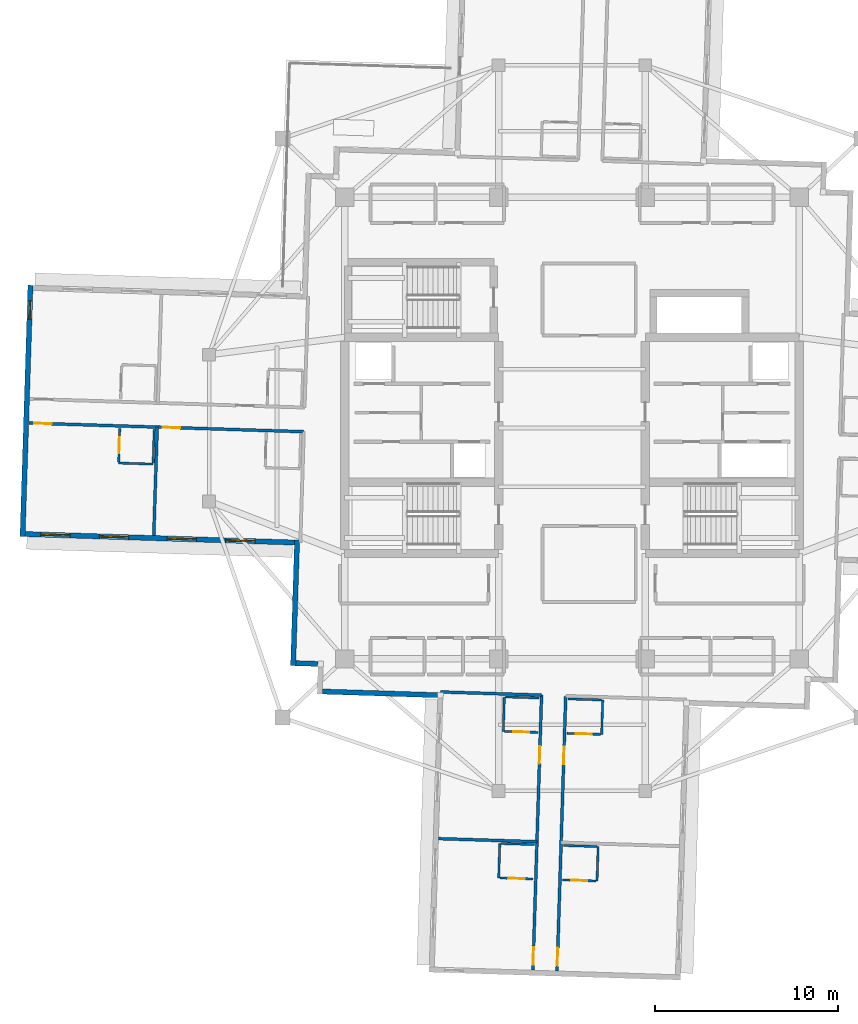
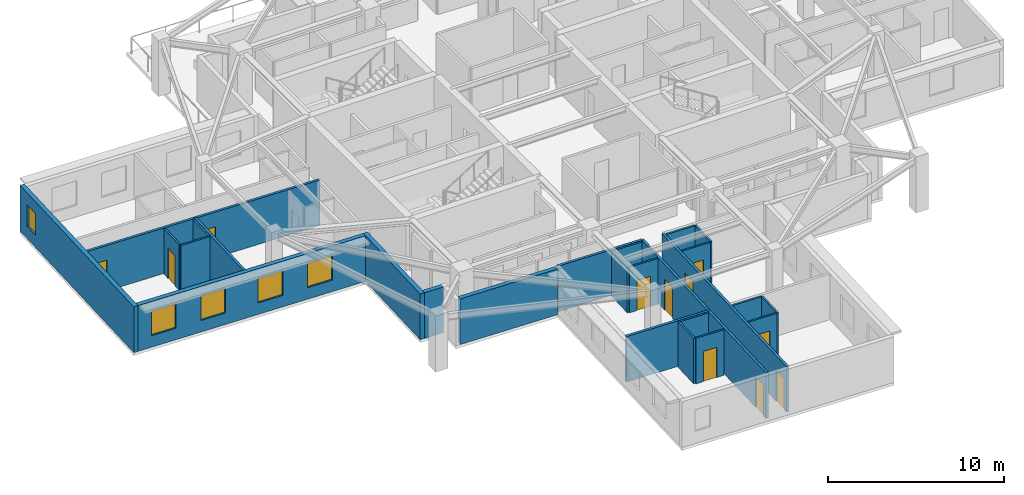
# One storey, part 3 of 13: 26 walls, 11 doors, 5 windows, 16 openings.
"""IFC4 building model written with IfcOpenShell, lengths in metres."""

import ifcopenshell
import ifcopenshell.guid

model = None  # the IFC model being written
_history = None  # IfcOwnerHistory: only IFC2X3 demands one
_inside = {}  # id of a spatial element -> (the spatial element, [elements in it])
_under = {}  # id of a project, library or spatial element -> (it, [spatial elements below it])
_declared = {}  # id of a project -> (the project, [libraries it declares])
_typed = {}  # id of a type object -> (the type object, [elements of that type])
_made_of = {}  # id of a material, layer set ... -> (it, [elements and type objects made of it])


def new_model(schema):
    """Start an empty IFC model of exactly this schema.

    Asked for "IFC4X3", IfcOpenShell would pick the latest addendum, in which some entities
    have other attributes; the version numbers below select the first issue.
    IFC2X3 requires an IfcOwnerHistory on every rooted entity: one is made here for all.
    """
    global model, _history
    if schema == "IFC4X3":
        model = ifcopenshell.file(schema_version=(4, 3, 0, 0))
    else:
        model = ifcopenshell.file(schema=schema)
    _inside.clear()
    _under.clear()
    _declared.clear()
    _typed.clear()
    _made_of.clear()
    _history = None
    if model.schema == "IFC2X3":
        org = make("IfcOrganization", Name="unknown")
        user = make(
            "IfcPersonAndOrganization",
            ThePerson=make("IfcPerson", FamilyName="unknown"),
            TheOrganization=org,
        )
        app = make(
            "IfcApplication",
            ApplicationDeveloper=org,
            Version="unknown",
            ApplicationFullName="unknown",
            ApplicationIdentifier="unknown",
        )
        _history = make(
            "IfcOwnerHistory",
            OwningUser=user,
            OwningApplication=app,
            ChangeAction="ADDED",
            CreationDate=0,
        )
    return model


def make(cls, **values):
    """One entity of the class cls with the attributes given. An attribute that is None is left unset."""
    return model.create_entity(
        cls, **{name: value for name, value in values.items() if value is not None}
    )


def rooted(cls, **values):
    """An entity with a GlobalId (a new one), such as an element, a storey or a relation."""
    return make(cls, GlobalId=ifcopenshell.guid.new(), OwnerHistory=_history, **values)


def si_unit(unit_type, name, prefix=None):
    """IfcSIUnit, for example si_unit("LENGTHUNIT", "METRE", prefix="MILLI")."""
    return make("IfcSIUnit", UnitType=unit_type, Prefix=prefix, Name=name)


def assignment(units):
    """IfcUnitAssignment: the units of a project."""
    return None if units is None else make("IfcUnitAssignment", Units=units)


def point(xyz):
    """IfcCartesianPoint."""
    return None if xyz is None else make("IfcCartesianPoint", Coordinates=xyz)


def direction(xyz):
    """IfcDirection."""
    return None if xyz is None else make("IfcDirection", DirectionRatios=xyz)


def frame(location, z_axis=None, x_axis=None):
    """IfcAxis2Placement3D, a coordinate frame: its origin and axes. An axis left out is left unset."""
    return make(
        "IfcAxis2Placement3D",
        Location=point(location),
        Axis=direction(z_axis),
        RefDirection=direction(x_axis),
    )


def frame_2d(location, x_axis=None):
    """IfcAxis2Placement2D, a coordinate frame in the plane: its origin and x axis."""
    return make(
        "IfcAxis2Placement2D", Location=point(location), RefDirection=direction(x_axis)
    )


def origin():
    """The frame at (0, 0, 0) with its axes left unset."""
    return frame((0.0, 0.0, 0.0))


def place(relative_to, where):
    """IfcLocalPlacement: puts the frame where relative to a parent placement (None: the world)."""
    return make(
        "IfcLocalPlacement", PlacementRelTo=relative_to, RelativePlacement=where
    )


def context(
    kind, dimensions, precision=None, world=None, true_north=None, identifier=None
):
    """IfcGeometricRepresentationContext, for example the 3D "Model" context."""
    return make(
        "IfcGeometricRepresentationContext",
        ContextIdentifier=identifier,
        ContextType=kind,
        CoordinateSpaceDimension=dimensions,
        Precision=precision,
        WorldCoordinateSystem=world,
        TrueNorth=true_north,
    )


def subcontext(parent, identifier, kind, view, scale=None):
    """IfcGeometricRepresentationSubContext, for example "Body" below "Model"."""
    return make(
        "IfcGeometricRepresentationSubContext",
        ContextIdentifier=identifier,
        ContextType=kind,
        ParentContext=parent,
        TargetScale=scale,
        TargetView=view,
    )


def project(units=None, contexts=None):
    """IfcProject with its units and contexts."""
    return rooted(
        "IfcProject",
        Name="project",
        RepresentationContexts=contexts,
        UnitsInContext=assignment(units),
    )


def spatial(cls, under=None, at=None, **own):
    """A site, building, storey or space (cls), placed at a placement, below another one or the project."""
    s = rooted(cls, ObjectPlacement=at, **own)
    if under is not None:
        _under.setdefault(under.id(), (under, []))[1].append(s)
    return s


def profile(cls, at=None, kind="AREA", **sizes):
    """A parametric profile (cls). Its sizes go by their IFC names, for example OverallWidth=200.0."""
    return make(cls, ProfileType=kind, Position=at, **sizes)


def rectangle(**sizes):
    """IfcRectangleProfileDef."""
    return profile("IfcRectangleProfileDef", **sizes)


def extrude(swept, where, along, depth):
    """IfcExtrudedAreaSolid: the profile swept, set in the frame where, extruded along a direction by depth."""
    return make(
        "IfcExtrudedAreaSolid",
        SweptArea=swept,
        Position=where,
        ExtrudedDirection=direction(along),
        Depth=depth,
    )


def shape(context_of_items, identifier, shape_type, items):
    """IfcShapeRepresentation: the items that make up one representation, for example the "Body"."""
    return make(
        "IfcShapeRepresentation",
        ContextOfItems=context_of_items,
        RepresentationIdentifier=identifier,
        RepresentationType=shape_type,
        Items=items,
    )


def material(Name=None, Category=None):
    """IfcMaterial."""
    return make("IfcMaterial", Name=Name, Category=Category)


def layer(
    of_material, thickness, ventilated=None, Name=None, Category=None, Priority=None
):
    """IfcMaterialLayer: one layer of a wall or slab, of a material (None: an air gap)."""
    return make(
        "IfcMaterialLayer",
        Material=of_material,
        LayerThickness=thickness,
        IsVentilated=ventilated,
        Name=Name,
        Category=Category,
        Priority=Priority,
    )


def layer_set(layers, Name=None):
    """IfcMaterialLayerSet."""
    return make("IfcMaterialLayerSet", MaterialLayers=layers, LayerSetName=Name)


def made_of(thing, what):
    """Note that an element or type object is made of a material, layer set ...; save() writes the relation."""
    if what is not None:
        _made_of.setdefault(what.id(), (what, []))[1].append(thing)
    return thing


def type_object(cls, material=None, **own):
    """A type object (cls), such as IfcWallType, which elements share."""
    return made_of(rooted(cls, **own), material)


def element(
    cls,
    number,
    at=None,
    inside=None,
    cuts=None,
    type_object=None,
    material=None,
    context=None,
    identifier="Body",
    shape_type=None,
    held_by="IfcProductDefinitionShape",
    body=None,
    shapes=None,
    **own,
):
    """One element of the class cls, such as IfcWall. Its Tag is "e" and its number.

    at: its placement. inside: the storey or other place that contains it. cuts: it is an
    opening in that element (IfcRelVoidsElement). A single representation is given by context,
    identifier, shape_type and body (its items); several are given by shapes. held_by: the class
    of the entity that holds the representations. save() writes the other relations.
    """
    e = rooted(cls, Tag="e%d" % number, ObjectPlacement=at, **own)
    if body is not None:
        shapes = [shape(context, identifier, shape_type, body)]
    if shapes is not None:
        e.Representation = make(held_by, Representations=shapes)
    if inside is not None:
        _inside.setdefault(inside.id(), (inside, []))[1].append(e)
    if cuts is not None:
        rooted(
            "IfcRelVoidsElement", RelatingBuildingElement=cuts, RelatedOpeningElement=e
        )
    if type_object is not None:
        _typed.setdefault(type_object.id(), (type_object, []))[1].append(e)
    return made_of(e, material)


def fill(opening, filler):
    """IfcRelFillsElement: the door or window that sits in an opening."""
    return rooted(
        "IfcRelFillsElement",
        RelatingOpeningElement=opening,
        RelatedBuildingElement=filler,
    )


def aggregate(whole, parts):
    """IfcRelAggregates: a whole, such as a stair, and the parts it consists of."""
    return rooted("IfcRelAggregates", RelatingObject=whole, RelatedObjects=parts)


def save(model, path):
    """Write the relations noted so far, then the file.

    IfcRelAggregates (storeys below a building ...), IfcRelContainedInSpatialStructure (elements
    in a storey), IfcRelDefinesByType, IfcRelAssociatesMaterial and IfcRelDeclares: one each for
    every whole, place, type object, material and project.
    """
    for whole, parts in _under.values():
        aggregate(whole, parts)
    for where, things in _inside.values():
        rooted(
            "IfcRelContainedInSpatialStructure",
            RelatedElements=things,
            RelatingStructure=where,
        )
    for kind, things in _typed.values():
        rooted("IfcRelDefinesByType", RelatedObjects=things, RelatingType=kind)
    for what, things in _made_of.values():
        rooted("IfcRelAssociatesMaterial", RelatedObjects=things, RelatingMaterial=what)
    for by, libraries in _declared.values():
        rooted("IfcRelDeclares", RelatingContext=by, RelatedDefinitions=libraries)
    model.write(path)


model = new_model("IFC4")

# Units and contexts
model_context = context("Model", 3, precision=1e-05, world=origin(), true_north=direction((0.0, 1.0)))
body_context = subcontext(model_context, "Body", "Model", "MODEL_VIEW")
ifc_project = project(units=[si_unit("LENGTHUNIT", "METRE"), si_unit("AREAUNIT", "SQUARE_METRE"), si_unit("VOLUMEUNIT", "CUBIC_METRE"), si_unit("PLANEANGLEUNIT", "RADIAN"), si_unit("MASSUNIT", "GRAM", prefix="KILO")], contexts=[model_context])

# Site, building, storey
site_placement = place(None, origin())
site = spatial("IfcSite", under=ifc_project, at=site_placement, CompositionType="ELEMENT")
building_placement = place(site_placement, origin())
building = spatial("IfcBuilding", under=site, at=building_placement, Name="Qingluan Cross Belvedere", CompositionType="ELEMENT")
storey_placement = place(building_placement, frame((0.0, 0.0, 257.699951171875)))
storey = spatial("IfcBuildingStorey", under=building, at=storey_placement, Name="L64", CompositionType="ELEMENT", Elevation=257.699951171875)

# Wall, openings, doors
ifc_material_1 = material(Name="Gypsum plasterboard on steel stud acoustic partition", Category="steel")
ifc_layer_1 = layer(ifc_material_1, 0.159912109375, Name="CorridorPartition_160")
ifc_layer_set_1 = layer_set([ifc_layer_1], Name="Gypsum plasterboard on steel stud acoustic partition")
wall_type_1 = type_object("IfcWallType", Name="CorridorPartition_160", PredefinedType="PARTITIONING", material=ifc_layer_set_1)
wall_1_placement = place(storey_placement, frame((-14.633544921875, -0.200439453125, 0.0), z_axis=(0.0, 0.0, 1.0), x_axis=(-0.999506778301, 0.031403823507, 0.0)))
wall_1 = element("IfcWall", 1, at=wall_1_placement, inside=storey, type_object=wall_type_1, Name="Partition L64:W:c1", PredefinedType="PARTITIONING", context=body_context, shape_type="SweptSolid", body=[
    extrude(rectangle(XDim=15.011962890625, YDim=0.159912109375, at=frame_2d((7.505859375, 0.0))), origin(), (0.0, 0.0, 1.0), 3.170166015625),
])
opening_1_placement = place(wall_1_placement, frame((6.743896484375, 0.0, 0.0)))
opening_1 = element("IfcOpeningElement", 2, at=opening_1_placement, cuts=wall_1, Name="Opening GD-10", PredefinedType="OPENING", context=body_context, shape_type="SweptSolid", body=[
    extrude(rectangle(XDim=0.9599609375, YDim=2.14990234375, at=frame_2d((0.47998046875, 1.074951171875))), frame((0.0, 0.08984375, 0.0), z_axis=(0.0, -1.0, 0.0), x_axis=(1.0, 0.0, 0.0)), (0.0, 0.0, 1.0), 0.179931640625),
])
opening_2_placement = place(wall_1_placement, frame((13.760009765625, 0.0, 0.0)))
opening_2 = element("IfcOpeningElement", 3, at=opening_2_placement, cuts=wall_1, Name="Opening GD-10", PredefinedType="OPENING", context=body_context, shape_type="SweptSolid", body=[
    extrude(rectangle(XDim=0.9599609375, YDim=2.14990234375, at=frame_2d((0.47998046875, 1.074951171875))), frame((0.0, 0.08984375, 0.0), z_axis=(0.0, -1.0, 0.0), x_axis=(1.0, 0.0, 0.0)), (0.0, 0.0, 1.0), 0.179931640625),
])
ifc_material_2 = material(Name="Timber oak fire-rated acoustic guestroom door", Category="wood")
door_type_1 = type_object("IfcDoorType", Name="GuestEntryDoor_FD60", OperationType="NOTDEFINED", PredefinedType="DOOR", material=ifc_material_2)
door_1_placement = place(opening_1_placement, origin())
door_1 = element("IfcDoor", 4, at=door_1_placement, inside=storey, type_object=door_type_1, Name="Guest entry fire door 6407", OperationType="SINGLE_SWING_LEFT", OverallHeight=2.14990234375, OverallWidth=0.9599609375, PredefinedType="DOOR", context=body_context, shape_type="SweptSolid", body=[
    extrude(rectangle(XDim=0.9599609375, YDim=2.14990234375, at=frame_2d((0.47998046875, 1.074951171875))), frame((0.0, 0.02490234375, 0.0), z_axis=(0.0, -1.0, 0.0), x_axis=(1.0, 0.0, 0.0)), (0.0, 0.0, 1.0), 0.050048828125),
])
fill(opening_1, door_1)
door_2_placement = place(opening_2_placement, origin())
door_2 = element("IfcDoor", 5, at=door_2_placement, inside=storey, type_object=door_type_1, Name="Guest entry fire door 6408", OperationType="SINGLE_SWING_LEFT", OverallHeight=2.14990234375, OverallWidth=0.9599609375, PredefinedType="DOOR", context=body_context, shape_type="SweptSolid", body=[
    extrude(rectangle(XDim=0.9599609375, YDim=2.14990234375, at=frame_2d((0.47998046875, 1.074951171875))), frame((0.0, 0.02490234375, 0.0), z_axis=(0.0, -1.0, 0.0), x_axis=(1.0, 0.0, 0.0)), (0.0, 0.0, 1.0), 0.050048828125),
])
fill(opening_2, door_2)

# Wall
wall_2_placement = place(storey_placement, frame((-22.633544921875, 0.051025390625, 0.0), z_axis=(0.0, 0.0, 1.0), x_axis=(-0.031425555218, -0.999506095269, 0.0)))
element("IfcWall", 6, at=wall_2_placement, inside=storey, type_object=wall_type_1, Name="Partition L64:W:d1_0", PredefinedType="PARTITIONING", context=body_context, shape_type="SweptSolid", body=[
    extrude(rectangle(XDim=5.912109375, YDim=0.159912109375, at=frame_2d((2.9560546875, 0.0))), origin(), (0.0, 0.0, 1.0), 3.170166015625),
])

# Wall, openings, doors
wall_3_placement = place(storey_placement, frame((-0.33935546875, -14.61669921875, 0.0), z_axis=(0.0, 0.0, 1.0), x_axis=(-0.031404333983, -0.999506762262, 0.0)))
wall_3 = element("IfcWall", 7, at=wall_3_placement, inside=storey, type_object=wall_type_1, Name="Partition L64:S:c0", PredefinedType="PARTITIONING", context=body_context, shape_type="SweptSolid", body=[
    extrude(rectangle(XDim=15.01171875, YDim=0.159912109375, at=frame_2d((7.505859375, 0.0))), origin(), (0.0, 0.0, 1.0), 3.170166015625),
])
opening_3_placement = place(wall_3_placement, frame((2.780029296875, 0.0, 0.0)))
opening_3 = element("IfcOpeningElement", 8, at=opening_3_placement, cuts=wall_3, Name="Opening GD-10", PredefinedType="OPENING", context=body_context, shape_type="SweptSolid", body=[
    extrude(rectangle(XDim=0.9599609375, YDim=2.14990234375, at=frame_2d((0.47998046875, 1.074951171875))), frame((0.0, 0.08984375, 0.0), z_axis=(0.0, -1.0, 0.0), x_axis=(1.0, 0.0, 0.0)), (0.0, 0.0, 1.0), 0.179931640625),
])
opening_4_placement = place(wall_3_placement, frame((13.760009765625, 0.0, 0.0)))
opening_4 = element("IfcOpeningElement", 9, at=opening_4_placement, cuts=wall_3, Name="Opening GD-10", PredefinedType="OPENING", context=body_context, shape_type="SweptSolid", body=[
    extrude(rectangle(XDim=0.9599609375, YDim=2.14990234375, at=frame_2d((0.47998046875, 1.074951171875))), frame((0.0, 0.08984375, 0.0), z_axis=(0.0, -1.0, 0.0), x_axis=(1.0, 0.0, 0.0)), (0.0, 0.0, 1.0), 0.179931640625),
])
door_3_placement = place(opening_3_placement, origin())
door_3 = element("IfcDoor", 10, at=door_3_placement, inside=storey, type_object=door_type_1, Name="Guest entry fire door 6411", OperationType="SINGLE_SWING_LEFT", OverallHeight=2.14990234375, OverallWidth=0.9599609375, PredefinedType="DOOR", context=body_context, shape_type="SweptSolid", body=[
    extrude(rectangle(XDim=0.9599609375, YDim=2.14990234375, at=frame_2d((0.47998046875, 1.074951171875))), frame((0.0, 0.02490234375, 0.0), z_axis=(0.0, -1.0, 0.0), x_axis=(1.0, 0.0, 0.0)), (0.0, 0.0, 1.0), 0.050048828125),
])
fill(opening_3, door_3)
door_4_placement = place(opening_4_placement, origin())
door_4 = element("IfcDoor", 11, at=door_4_placement, inside=storey, type_object=door_type_1, Name="Guest entry fire door 6412", OperationType="SINGLE_SWING_LEFT", OverallHeight=2.14990234375, OverallWidth=0.9599609375, PredefinedType="DOOR", context=body_context, shape_type="SweptSolid", body=[
    extrude(rectangle(XDim=0.9599609375, YDim=2.14990234375, at=frame_2d((0.47998046875, 1.074951171875))), frame((0.0, 0.02490234375, 0.0), z_axis=(0.0, -1.0, 0.0), x_axis=(1.0, 0.0, 0.0)), (0.0, 0.0, 1.0), 0.050048828125),
])
fill(opening_4, door_4)

wall_4_placement = place(storey_placement, frame((-1.65869140625, -14.5751953125, 0.0), z_axis=(0.0, 0.0, 1.0), x_axis=(-0.031404333983, -0.999506762262, 0.0)))
wall_4 = element("IfcWall", 12, at=wall_4_placement, inside=storey, type_object=wall_type_1, Name="Partition L64:S:c1", PredefinedType="PARTITIONING", context=body_context, shape_type="SweptSolid", body=[
    extrude(rectangle(XDim=15.01171875, YDim=0.159912109375, at=frame_2d((7.505859375, 0.0))), origin(), (0.0, 0.0, 1.0), 3.170166015625),
])
opening_5_placement = place(wall_4_placement, frame((2.780029296875, 0.0, 0.0)))
opening_5 = element("IfcOpeningElement", 13, at=opening_5_placement, cuts=wall_4, Name="Opening GD-10", PredefinedType="OPENING", context=body_context, shape_type="SweptSolid", body=[
    extrude(rectangle(XDim=0.9599609375, YDim=2.14990234375, at=frame_2d((0.47998046875, 1.074951171875))), frame((0.0, 0.08984375, 0.0), z_axis=(0.0, -1.0, 0.0), x_axis=(1.0, 0.0, 0.0)), (0.0, 0.0, 1.0), 0.179931640625),
])
opening_6_placement = place(wall_4_placement, frame((13.760009765625, 0.0, 0.0)))
opening_6 = element("IfcOpeningElement", 14, at=opening_6_placement, cuts=wall_4, Name="Opening GD-10", PredefinedType="OPENING", context=body_context, shape_type="SweptSolid", body=[
    extrude(rectangle(XDim=0.9599609375, YDim=2.14990234375, at=frame_2d((0.47998046875, 1.074951171875))), frame((0.0, 0.08984375, 0.0), z_axis=(0.0, -1.0, 0.0), x_axis=(1.0, 0.0, 0.0)), (0.0, 0.0, 1.0), 0.179931640625),
])
door_5_placement = place(opening_5_placement, origin())
door_5 = element("IfcDoor", 15, at=door_5_placement, inside=storey, type_object=door_type_1, Name="Guest entry fire door 6413", OperationType="SINGLE_SWING_LEFT", OverallHeight=2.14990234375, OverallWidth=0.9599609375, PredefinedType="DOOR", context=body_context, shape_type="SweptSolid", body=[
    extrude(rectangle(XDim=0.9599609375, YDim=2.14990234375, at=frame_2d((0.47998046875, 1.074951171875))), frame((0.0, 0.02490234375, 0.0), z_axis=(0.0, -1.0, 0.0), x_axis=(1.0, 0.0, 0.0)), (0.0, 0.0, 1.0), 0.050048828125),
])
fill(opening_5, door_5)
door_6_placement = place(opening_6_placement, origin())
door_6 = element("IfcDoor", 16, at=door_6_placement, inside=storey, type_object=door_type_1, Name="Guest entry fire door 6414", OperationType="SINGLE_SWING_LEFT", OverallHeight=2.14990234375, OverallWidth=0.9599609375, PredefinedType="DOOR", context=body_context, shape_type="SweptSolid", body=[
    extrude(rectangle(XDim=0.9599609375, YDim=2.14990234375, at=frame_2d((0.47998046875, 1.074951171875))), frame((0.0, 0.02490234375, 0.0), z_axis=(0.0, -1.0, 0.0), x_axis=(1.0, 0.0, 0.0)), (0.0, 0.0, 1.0), 0.050048828125),
])
fill(opening_6, door_6)

# Walls
wall_5_placement = place(storey_placement, frame((-1.65869140625, -14.5751953125, 0.0), z_axis=(0.0, 0.0, 1.0), x_axis=(-0.999505408206, 0.031447400002, 0.0)))
element("IfcWall", 17, at=wall_5_placement, inside=storey, type_object=wall_type_1, Name="Partition L64:S:s1", PredefinedType="PARTITIONING", context=body_context, shape_type="SweptSolid", body=[
    extrude(rectangle(XDim=5.519775390625, YDim=0.159912109375, at=frame_2d((2.759765625, 0.0))), origin(), (0.0, 0.0, 1.0), 3.170166015625),
])
wall_6_placement = place(storey_placement, frame((-1.909912109375, -22.5751953125, 0.0), z_axis=(0.0, 0.0, 1.0), x_axis=(-0.999506785589, 0.031403591545, 0.0)))
element("IfcWall", 18, at=wall_6_placement, inside=storey, type_object=wall_type_1, Name="Partition L64:S:d1_0", PredefinedType="PARTITIONING", context=body_context, shape_type="SweptSolid", body=[
    extrude(rectangle(XDim=5.3720703125, YDim=0.159912109375, at=frame_2d((2.68603515625, 0.0))), origin(), (0.0, 0.0, 1.0), 3.170166015625),
])

# Wall, opening, door
ifc_material_3 = material(Name="Moisture-resistant gypsum board lining")
ifc_layer_2 = layer(ifc_material_3, 0.1201171875, Name="EnsuiteWetPartition_120")
ifc_layer_set_2 = layer_set([ifc_layer_2], Name="Moisture-resistant gypsum board lining")
wall_type_2 = type_object("IfcWallType", Name="EnsuiteWetPartition_120", PredefinedType="PARTITIONING", material=ifc_layer_set_2)
wall_7_placement = place(storey_placement, frame((-24.734130859375, -1.843994140625, 0.0), z_axis=(0.0, 0.0, 1.0), x_axis=(0.031389704724, 0.999507221803, 0.0)))
wall_7 = element("IfcWall", 19, at=wall_7_placement, inside=storey, type_object=wall_type_2, Name="Partition L64:W:bs1_1", PredefinedType="PARTITIONING", context=body_context, shape_type="SweptSolid", body=[
    extrude(rectangle(XDim=1.820068359375, YDim=0.1201171875, at=frame_2d((0.91015625, 0.0))), origin(), (0.0, 0.0, 1.0), 3.170166015625),
])
opening_7_placement = place(wall_7_placement, frame((0.469970703125, 0.0, 0.0)))
opening_7 = element("IfcOpeningElement", 20, at=opening_7_placement, cuts=wall_7, Name="Opening BD-09", PredefinedType="OPENING", context=body_context, shape_type="SweptSolid", body=[
    extrude(rectangle(XDim=0.8798828125, YDim=2.10009765625, at=frame_2d((0.43994140625, 1.050048828125))), frame((0.0, 0.070068359375, 0.0), z_axis=(0.0, -1.0, 0.0), x_axis=(1.0, 0.0, 0.0)), (0.0, 0.0, 1.0), 0.14013671875),
])
ifc_material_4 = material(Name="Moisture-sealed timber en-suite door", Category="wood")
door_type_2 = type_object("IfcDoorType", Name="BathroomDoor_880", OperationType="NOTDEFINED", PredefinedType="DOOR", material=ifc_material_4)
door_7_placement = place(opening_7_placement, origin())
door_7 = element("IfcDoor", 21, at=door_7_placement, inside=storey, type_object=door_type_2, Name="Bathroom door 6408", OperationType="SINGLE_SWING_RIGHT", OverallHeight=2.10009765625, OverallWidth=0.8798828125, PredefinedType="DOOR", context=body_context, shape_type="SweptSolid", body=[
    extrude(rectangle(XDim=0.8798828125, YDim=2.10009765625, at=frame_2d((0.43994140625, 1.050048828125))), frame((0.0, 0.02490234375, 0.0), z_axis=(0.0, -1.0, 0.0), x_axis=(1.0, 0.0, 0.0)), (0.0, 0.0, 1.0), 0.050048828125),
])
fill(opening_7, door_7)

# Walls
wall_8_placement = place(storey_placement, frame((-22.85498046875, -1.903076171875, 0.0), z_axis=(0.0, 0.0, 1.0), x_axis=(0.031389704724, 0.999507221803, 0.0)))
element("IfcWall", 22, at=wall_8_placement, inside=storey, type_object=wall_type_2, Name="Partition L64:W:bw1_1", PredefinedType="PARTITIONING", context=body_context, shape_type="SweptSolid", body=[
    extrude(rectangle(XDim=1.820068359375, YDim=0.1201171875, at=frame_2d((0.91015625, 0.0))), origin(), (0.0, 0.0, 1.0), 3.170166015625),
])
wall_9_placement = place(storey_placement, frame((-22.857177734375, -1.968017578125, 0.0), z_axis=(0.0, 0.0, 1.0), x_axis=(-0.999505975261, 0.031429371883, 0.0)))
element("IfcWall", 23, at=wall_9_placement, inside=storey, type_object=wall_type_2, Name="Partition L64:W:bc1_1", PredefinedType="PARTITIONING", context=body_context, shape_type="SweptSolid", body=[
    extrude(rectangle(XDim=1.8798828125, YDim=0.1201171875, at=frame_2d((0.93994140625, 0.0))), origin(), (0.0, 0.0, 1.0), 3.170166015625),
])

# Wall, opening, door
wall_10_placement = place(storey_placement, frame((-0.263427734375, -16.659912109375, 0.0), z_axis=(0.0, 0.0, 1.0), x_axis=(0.999507221803, -0.031389704724, 0.0)))
wall_10 = element("IfcWall", 24, at=wall_10_placement, inside=storey, type_object=wall_type_2, Name="Partition L64:S:bs0_0", PredefinedType="PARTITIONING", context=body_context, shape_type="SweptSolid", body=[
    extrude(rectangle(XDim=1.820068359375, YDim=0.1201171875, at=frame_2d((0.91015625, 0.0))), origin(), (0.0, 0.0, 1.0), 3.170166015625),
])
opening_8_placement = place(wall_10_placement, frame((0.469970703125, 0.0, 0.0)))
opening_8 = element("IfcOpeningElement", 25, at=opening_8_placement, cuts=wall_10, Name="Opening BD-09", PredefinedType="OPENING", context=body_context, shape_type="SweptSolid", body=[
    extrude(rectangle(XDim=0.8798828125, YDim=2.10009765625, at=frame_2d((0.43994140625, 1.050048828125))), frame((0.0, 0.070068359375, 0.0), z_axis=(0.0, -1.0, 0.0), x_axis=(1.0, 0.0, 0.0)), (0.0, 0.0, 1.0), 0.14013671875),
])
door_8_placement = place(opening_8_placement, origin())
door_8 = element("IfcDoor", 26, at=door_8_placement, inside=storey, type_object=door_type_2, Name="Bathroom door 6411", OperationType="SINGLE_SWING_RIGHT", OverallHeight=2.10009765625, OverallWidth=0.8798828125, PredefinedType="DOOR", context=body_context, shape_type="SweptSolid", body=[
    extrude(rectangle(XDim=0.8798828125, YDim=2.10009765625, at=frame_2d((0.43994140625, 1.050048828125))), frame((0.0, 0.02490234375, 0.0), z_axis=(0.0, -1.0, 0.0), x_axis=(1.0, 0.0, 0.0)), (0.0, 0.0, 1.0), 0.050048828125),
])
fill(opening_8, door_8)

# Walls
wall_11_placement = place(storey_placement, frame((-0.204345703125, -14.781005859375, 0.0), z_axis=(0.0, 0.0, 1.0), x_axis=(0.999511421504, -0.031255692016, 0.0)))
element("IfcWall", 27, at=wall_11_placement, inside=storey, type_object=wall_type_2, Name="Partition L64:S:bw0_0", PredefinedType="PARTITIONING", context=body_context, shape_type="SweptSolid", body=[
    extrude(rectangle(XDim=1.820068359375, YDim=0.1201171875, at=frame_2d((0.91015625, 0.0))), origin(), (0.0, 0.0, 1.0), 3.170166015625),
])
wall_12_placement = place(storey_placement, frame((1.6796875, -14.840087890625, 0.0), z_axis=(0.0, 0.0, 1.0), x_axis=(-0.031425292588, -0.999506103526, 0.0)))
element("IfcWall", 28, at=wall_12_placement, inside=storey, type_object=wall_type_2, Name="Partition L64:S:bn0_0", PredefinedType="PARTITIONING", context=body_context, shape_type="SweptSolid", body=[
    extrude(rectangle(XDim=1.880126953125, YDim=0.1201171875, at=frame_2d((0.93994140625, 0.0))), origin(), (0.0, 0.0, 1.0), 3.170166015625),
])

# Wall, opening, door
wall_13_placement = place(storey_placement, frame((-0.514892578125, -24.659912109375, 0.0), z_axis=(0.0, 0.0, 1.0), x_axis=(0.999503004171, -0.03152371574, 0.0)))
wall_13 = element("IfcWall", 29, at=wall_13_placement, inside=storey, type_object=wall_type_2, Name="Partition L64:S:bs0_1", PredefinedType="PARTITIONING", context=body_context, shape_type="SweptSolid", body=[
    extrude(rectangle(XDim=1.820068359375, YDim=0.1201171875, at=frame_2d((0.91015625, 0.0))), origin(), (0.0, 0.0, 1.0), 3.170166015625),
])
opening_9_placement = place(wall_13_placement, frame((0.469970703125, 0.0, 0.0)))
opening_9 = element("IfcOpeningElement", 30, at=opening_9_placement, cuts=wall_13, Name="Opening BD-09", PredefinedType="OPENING", context=body_context, shape_type="SweptSolid", body=[
    extrude(rectangle(XDim=0.8798828125, YDim=2.10009765625, at=frame_2d((0.43994140625, 1.050048828125))), frame((0.0, 0.070068359375, 0.0), z_axis=(0.0, -1.0, 0.0), x_axis=(1.0, 0.0, 0.0)), (0.0, 0.0, 1.0), 0.14013671875),
])
door_9_placement = place(opening_9_placement, origin())
door_9 = element("IfcDoor", 31, at=door_9_placement, inside=storey, type_object=door_type_2, Name="Bathroom door 6412", OperationType="SINGLE_SWING_RIGHT", OverallHeight=2.10009765625, OverallWidth=0.8798828125, PredefinedType="DOOR", context=body_context, shape_type="SweptSolid", body=[
    extrude(rectangle(XDim=0.8798828125, YDim=2.10009765625, at=frame_2d((0.43994140625, 1.050048828125))), frame((0.0, 0.02490234375, 0.0), z_axis=(0.0, -1.0, 0.0), x_axis=(1.0, 0.0, 0.0)), (0.0, 0.0, 1.0), 0.050048828125),
])
fill(opening_9, door_9)

# Walls
wall_14_placement = place(storey_placement, frame((-0.455810546875, -22.781005859375, 0.0), z_axis=(0.0, 0.0, 1.0), x_axis=(0.999507221803, -0.031389704724, 0.0)))
element("IfcWall", 32, at=wall_14_placement, inside=storey, type_object=wall_type_2, Name="Partition L64:S:bw0_1", PredefinedType="PARTITIONING", context=body_context, shape_type="SweptSolid", body=[
    extrude(rectangle(XDim=1.820068359375, YDim=0.1201171875, at=frame_2d((0.91015625, 0.0))), origin(), (0.0, 0.0, 1.0), 3.170166015625),
])
wall_15_placement = place(storey_placement, frame((1.42822265625, -22.840087890625, 0.0), z_axis=(0.0, 0.0, 1.0), x_axis=(-0.031425292588, -0.999506103526, 0.0)))
element("IfcWall", 33, at=wall_15_placement, inside=storey, type_object=wall_type_2, Name="Partition L64:S:bn0_1", PredefinedType="PARTITIONING", context=body_context, shape_type="SweptSolid", body=[
    extrude(rectangle(XDim=1.880126953125, YDim=0.1201171875, at=frame_2d((0.93994140625, 0.0))), origin(), (0.0, 0.0, 1.0), 3.170166015625),
])

# Wall, opening, door
wall_16_placement = place(storey_placement, frame((-3.681640625, -16.552490234375, 0.0), z_axis=(0.0, 0.0, 1.0), x_axis=(0.999507221803, -0.031389704724, 0.0)))
wall_16 = element("IfcWall", 34, at=wall_16_placement, inside=storey, type_object=wall_type_2, Name="Partition L64:S:bs1_0", PredefinedType="PARTITIONING", context=body_context, shape_type="SweptSolid", body=[
    extrude(rectangle(XDim=1.820068359375, YDim=0.1201171875, at=frame_2d((0.91015625, 0.0))), origin(), (0.0, 0.0, 1.0), 3.170166015625),
])
opening_10_placement = place(wall_16_placement, frame((0.469970703125, 0.0, 0.0)))
opening_10 = element("IfcOpeningElement", 35, at=opening_10_placement, cuts=wall_16, Name="Opening BD-09", PredefinedType="OPENING", context=body_context, shape_type="SweptSolid", body=[
    extrude(rectangle(XDim=0.8798828125, YDim=2.10009765625, at=frame_2d((0.43994140625, 1.050048828125))), frame((0.0, 0.070068359375, 0.0), z_axis=(0.0, -1.0, 0.0), x_axis=(1.0, 0.0, 0.0)), (0.0, 0.0, 1.0), 0.14013671875),
])
door_10_placement = place(opening_10_placement, origin())
door_10 = element("IfcDoor", 36, at=door_10_placement, inside=storey, type_object=door_type_2, Name="Bathroom door 6413", OperationType="SINGLE_SWING_RIGHT", OverallHeight=2.10009765625, OverallWidth=0.8798828125, PredefinedType="DOOR", context=body_context, shape_type="SweptSolid", body=[
    extrude(rectangle(XDim=0.8798828125, YDim=2.10009765625, at=frame_2d((0.43994140625, 1.050048828125))), frame((0.0, 0.02490234375, 0.0), z_axis=(0.0, -1.0, 0.0), x_axis=(1.0, 0.0, 0.0)), (0.0, 0.0, 1.0), 0.050048828125),
])
fill(opening_10, door_10)

# Walls
wall_17_placement = place(storey_placement, frame((-3.622802734375, -14.67333984375, 0.0), z_axis=(0.0, 0.0, 1.0), x_axis=(0.999503004171, -0.03152371574, 0.0)))
element("IfcWall", 37, at=wall_17_placement, inside=storey, type_object=wall_type_2, Name="Partition L64:S:bw1_0", PredefinedType="PARTITIONING", context=body_context, shape_type="SweptSolid", body=[
    extrude(rectangle(XDim=1.820068359375, YDim=0.1201171875, at=frame_2d((0.91015625, 0.0))), origin(), (0.0, 0.0, 1.0), 3.170166015625),
])
wall_18_placement = place(storey_placement, frame((-3.687744140625, -14.67138671875, 0.0), z_axis=(0.0, 0.0, 1.0), x_axis=(-0.031295563454, -0.999510173889, 0.0)))
element("IfcWall", 38, at=wall_18_placement, inside=storey, type_object=wall_type_2, Name="Partition L64:S:bc1_0", PredefinedType="PARTITIONING", context=body_context, shape_type="SweptSolid", body=[
    extrude(rectangle(XDim=1.880126953125, YDim=0.1201171875, at=frame_2d((0.93994140625, 0.0))), origin(), (0.0, 0.0, 1.0), 3.170166015625),
])

# Wall, opening, door
wall_19_placement = place(storey_placement, frame((-3.93310546875, -24.552490234375, 0.0), z_axis=(0.0, 0.0, 1.0), x_axis=(0.999507221803, -0.031389704724, 0.0)))
wall_19 = element("IfcWall", 39, at=wall_19_placement, inside=storey, type_object=wall_type_2, Name="Partition L64:S:bs1_1", PredefinedType="PARTITIONING", context=body_context, shape_type="SweptSolid", body=[
    extrude(rectangle(XDim=1.820068359375, YDim=0.1201171875, at=frame_2d((0.91015625, 0.0))), origin(), (0.0, 0.0, 1.0), 3.170166015625),
])
opening_11_placement = place(wall_19_placement, frame((0.469970703125, 0.0, 0.0)))
opening_11 = element("IfcOpeningElement", 40, at=opening_11_placement, cuts=wall_19, Name="Opening BD-09", PredefinedType="OPENING", context=body_context, shape_type="SweptSolid", body=[
    extrude(rectangle(XDim=0.8798828125, YDim=2.10009765625, at=frame_2d((0.43994140625, 1.050048828125))), frame((0.0, 0.070068359375, 0.0), z_axis=(0.0, -1.0, 0.0), x_axis=(1.0, 0.0, 0.0)), (0.0, 0.0, 1.0), 0.14013671875),
])
door_11_placement = place(opening_11_placement, origin())
door_11 = element("IfcDoor", 41, at=door_11_placement, inside=storey, type_object=door_type_2, Name="Bathroom door 6414", OperationType="SINGLE_SWING_RIGHT", OverallHeight=2.10009765625, OverallWidth=0.8798828125, PredefinedType="DOOR", context=body_context, shape_type="SweptSolid", body=[
    extrude(rectangle(XDim=0.8798828125, YDim=2.10009765625, at=frame_2d((0.43994140625, 1.050048828125))), frame((0.0, 0.02490234375, 0.0), z_axis=(0.0, -1.0, 0.0), x_axis=(1.0, 0.0, 0.0)), (0.0, 0.0, 1.0), 0.050048828125),
])
fill(opening_11, door_11)

# Walls
wall_20_placement = place(storey_placement, frame((-3.8740234375, -22.673583984375, 0.0), z_axis=(0.0, 0.0, 1.0), x_axis=(0.999507221803, -0.031389704724, 0.0)))
element("IfcWall", 42, at=wall_20_placement, inside=storey, type_object=wall_type_2, Name="Partition L64:S:bw1_1", PredefinedType="PARTITIONING", context=body_context, shape_type="SweptSolid", body=[
    extrude(rectangle(XDim=1.820068359375, YDim=0.1201171875, at=frame_2d((0.91015625, 0.0))), origin(), (0.0, 0.0, 1.0), 3.170166015625),
])
wall_21_placement = place(storey_placement, frame((-3.939208984375, -22.67138671875, 0.0), z_axis=(0.0, 0.0, 1.0), x_axis=(-0.031295563454, -0.999510173889, 0.0)))
element("IfcWall", 43, at=wall_21_placement, inside=storey, type_object=wall_type_2, Name="Partition L64:S:bc1_1", PredefinedType="PARTITIONING", context=body_context, shape_type="SweptSolid", body=[
    extrude(rectangle(XDim=1.880126953125, YDim=0.1201171875, at=frame_2d((0.93994140625, 0.0))), origin(), (0.0, 0.0, 1.0), 3.170166015625),
])

# Wall, openings, windows
ifc_material_5 = material(Name="Precast concrete C45", Category="concrete")
ifc_layer_3 = layer(ifc_material_5, 0.280029296875, Name="PrecastFacadeWall_280")
ifc_layer_set_3 = layer_set([ifc_layer_3], Name="Precast concrete C45")
wall_type_3 = type_object("IfcWallType", Name="PrecastFacadeWall_280", PredefinedType="STANDARD", material=ifc_layer_set_3)
wall_22_placement = place(storey_placement, frame((-29.83642578125, -5.78564453125, 0.0), z_axis=(0.0, 0.0, 1.0), x_axis=(0.999506698073, -0.031406376864, 0.0)))
wall_22 = element("IfcWall", 44, at=wall_22_placement, inside=storey, type_object=wall_type_3, Name="Facade wall L64-WB", PredefinedType="STANDARD", context=body_context, shape_type="SweptSolid", body=[
    extrude(rectangle(XDim=14.699951171875, YDim=0.280029296875, at=frame_2d((7.35009765625, 0.0))), origin(), (0.0, 0.0, 1.0), 3.179931640625),
])
opening_12_placement = place(wall_22_placement, frame((0.85009765625, 0.0, 0.800048828125)))
opening_12 = element("IfcOpeningElement", 45, at=opening_12_placement, cuts=wall_22, Name="Opening W-04", PredefinedType="OPENING", context=body_context, shape_type="SweptSolid", body=[
    extrude(rectangle(XDim=1.60009765625, YDim=1.699951171875, at=frame_2d((0.800048828125, 0.85009765625))), frame((0.0, 0.14990234375, 0.0), z_axis=(0.0, -1.0, 0.0), x_axis=(1.0, 0.0, 0.0)), (0.0, 0.0, 1.0), 0.300048828125),
])
opening_13_placement = place(wall_22_placement, frame((4.050048828125, 0.0, 0.800048828125)))
opening_13 = element("IfcOpeningElement", 46, at=opening_13_placement, cuts=wall_22, Name="Opening W-04", PredefinedType="OPENING", context=body_context, shape_type="SweptSolid", body=[
    extrude(rectangle(XDim=1.60009765625, YDim=1.699951171875, at=frame_2d((0.800048828125, 0.85009765625))), frame((0.0, 0.14990234375, 0.0), z_axis=(0.0, -1.0, 0.0), x_axis=(1.0, 0.0, 0.0)), (0.0, 0.0, 1.0), 0.300048828125),
])
opening_14_placement = place(wall_22_placement, frame((7.75, 0.0, 0.800048828125)))
opening_14 = element("IfcOpeningElement", 47, at=opening_14_placement, cuts=wall_22, Name="Opening W-04", PredefinedType="OPENING", context=body_context, shape_type="SweptSolid", body=[
    extrude(rectangle(XDim=1.60009765625, YDim=1.699951171875, at=frame_2d((0.800048828125, 0.85009765625))), frame((0.0, 0.14990234375, 0.0), z_axis=(0.0, -1.0, 0.0), x_axis=(1.0, 0.0, 0.0)), (0.0, 0.0, 1.0), 0.300048828125),
])
opening_15_placement = place(wall_22_placement, frame((10.949951171875, 0.0, 0.800048828125)))
opening_15 = element("IfcOpeningElement", 48, at=opening_15_placement, cuts=wall_22, Name="Opening W-04", PredefinedType="OPENING", context=body_context, shape_type="SweptSolid", body=[
    extrude(rectangle(XDim=1.60009765625, YDim=1.699951171875, at=frame_2d((0.800048828125, 0.85009765625))), frame((0.0, 0.14990234375, 0.0), z_axis=(0.0, -1.0, 0.0), x_axis=(1.0, 0.0, 0.0)), (0.0, 0.0, 1.0), 0.300048828125),
])
ifc_material_6 = material(Name="Thermally broken triple Low-E glass in aluminium frame", Category="aluminium")
window_type_1 = type_object("IfcWindowType", Name="SuiteCornerWin_1600x1700", PartitioningType="SINGLE_PANEL", PredefinedType="WINDOW", material=ifc_material_6)
window_1_placement = place(opening_12_placement, origin())
window_1 = element("IfcWindow", 49, at=window_1_placement, inside=storey, type_object=window_type_1, Name="Ribbon window L64-WB-1", OverallHeight=1.699951171875, OverallWidth=1.60009765625, PartitioningType="SINGLE_PANEL", PredefinedType="WINDOW", context=body_context, shape_type="SweptSolid", body=[
    extrude(rectangle(XDim=1.60009765625, YDim=1.699951171875, at=frame_2d((0.800048828125, 0.85009765625))), frame((0.0, 0.030029296875, 0.0), z_axis=(0.0, -1.0, 0.0), x_axis=(1.0, 0.0, 0.0)), (0.0, 0.0, 1.0), 0.06005859375),
])
fill(opening_12, window_1)
window_2_placement = place(opening_13_placement, origin())
window_2 = element("IfcWindow", 50, at=window_2_placement, inside=storey, type_object=window_type_1, Name="Ribbon window L64-WB-2", OverallHeight=1.699951171875, OverallWidth=1.60009765625, PartitioningType="SINGLE_PANEL", PredefinedType="WINDOW", context=body_context, shape_type="SweptSolid", body=[
    extrude(rectangle(XDim=1.60009765625, YDim=1.699951171875, at=frame_2d((0.800048828125, 0.85009765625))), frame((0.0, 0.030029296875, 0.0), z_axis=(0.0, -1.0, 0.0), x_axis=(1.0, 0.0, 0.0)), (0.0, 0.0, 1.0), 0.06005859375),
])
fill(opening_13, window_2)
window_3_placement = place(opening_14_placement, origin())
window_3 = element("IfcWindow", 51, at=window_3_placement, inside=storey, type_object=window_type_1, Name="Ribbon window L64-WB-3", OverallHeight=1.699951171875, OverallWidth=1.60009765625, PartitioningType="SINGLE_PANEL", PredefinedType="WINDOW", context=body_context, shape_type="SweptSolid", body=[
    extrude(rectangle(XDim=1.60009765625, YDim=1.699951171875, at=frame_2d((0.800048828125, 0.85009765625))), frame((0.0, 0.030029296875, 0.0), z_axis=(0.0, -1.0, 0.0), x_axis=(1.0, 0.0, 0.0)), (0.0, 0.0, 1.0), 0.06005859375),
])
fill(opening_14, window_3)
window_4_placement = place(opening_15_placement, origin())
window_4 = element("IfcWindow", 52, at=window_4_placement, inside=storey, type_object=window_type_1, Name="Ribbon window L64-WB-4", OverallHeight=1.699951171875, OverallWidth=1.60009765625, PartitioningType="SINGLE_PANEL", PredefinedType="WINDOW", context=body_context, shape_type="SweptSolid", body=[
    extrude(rectangle(XDim=1.60009765625, YDim=1.699951171875, at=frame_2d((0.800048828125, 0.85009765625))), frame((0.0, 0.030029296875, 0.0), z_axis=(0.0, -1.0, 0.0), x_axis=(1.0, 0.0, 0.0)), (0.0, 0.0, 1.0), 0.06005859375),
])
fill(opening_15, window_4)

# Wall, opening, window
wall_23_placement = place(storey_placement, frame((-29.5498046875, 7.7919921875, 0.0), z_axis=(0.0, 0.0, 1.0), x_axis=(-0.031407524763, -0.999506662003, 0.0)))
wall_23 = element("IfcWall", 53, at=wall_23_placement, inside=storey, type_object=wall_type_3, Name="Arm tip precast facade wall L64-W", PredefinedType="STANDARD", context=body_context, shape_type="SweptSolid", body=[
    extrude(rectangle(XDim=13.719970703125, YDim=0.280029296875, at=frame_2d((6.85986328125, 0.0))), origin(), (0.0, 0.0, 1.0), 3.179931640625),
])
opening_16_placement = place(wall_23_placement, frame((0.85009765625, 0.0, 0.85009765625)))
opening_16 = element("IfcOpeningElement", 54, at=opening_16_placement, cuts=wall_23, Name="Opening W-03", PredefinedType="OPENING", context=body_context, shape_type="SweptSolid", body=[
    extrude(rectangle(XDim=1.0, YDim=1.5, at=frame_2d((0.5, 0.75))), frame((0.0, 0.14990234375, 0.0), z_axis=(0.0, -1.0, 0.0), x_axis=(1.0, 0.0, 0.0)), (0.0, 0.0, 1.0), 0.300048828125),
])
ifc_material_7 = material(Name="Thermally broken triple Low-E glass in aluminium frame", Category="aluminium")
window_type_2 = type_object("IfcWindowType", Name="TriApexWin_1000x1500", PartitioningType="SINGLE_PANEL", PredefinedType="WINDOW", material=ifc_material_7)
window_5_placement = place(opening_16_placement, origin())
window_5 = element("IfcWindow", 55, at=window_5_placement, inside=storey, type_object=window_type_2, Name="Arm tip triangular window L64-W", OverallHeight=1.5, OverallWidth=1.0, PartitioningType="SINGLE_PANEL", PredefinedType="WINDOW", context=body_context, shape_type="SweptSolid", body=[
    extrude(rectangle(XDim=1.0, YDim=1.5, at=frame_2d((0.5, 0.75))), frame((0.0, 0.030029296875, 0.0), z_axis=(0.0, -1.0, 0.0), x_axis=(1.0, 0.0, 0.0)), (0.0, 0.0, 1.0), 0.06005859375),
])
fill(opening_16, window_5)

# Walls
wall_24_placement = place(storey_placement, frame((-14.99951171875, -6.11181640625, 0.0), z_axis=(0.0, 0.0, 1.0), x_axis=(-0.031389189386, -0.999507237988, 0.0)))
element("IfcWall", 56, at=wall_24_placement, inside=storey, type_object=wall_type_3, Name="Corner wall L64-SW1", PredefinedType="STANDARD", context=body_context, shape_type="SweptSolid", body=[
    extrude(rectangle(XDim=6.860107421875, YDim=0.280029296875, at=frame_2d((3.43017578125, 0.0))), origin(), (0.0, 0.0, 1.0), 3.179931640625),
])
wall_25_placement = place(storey_placement, frame((-15.070556640625, -12.8330078125, 0.0), z_axis=(0.0, 0.0, 1.0), x_axis=(0.999506398264, -0.031415916822, 0.0)))
element("IfcWall", 57, at=wall_25_placement, inside=storey, type_object=wall_type_3, Name="Corner wall L64-SW2", PredefinedType="STANDARD", context=body_context, shape_type="SweptSolid", body=[
    extrude(rectangle(XDim=1.219970703125, YDim=0.280029296875, at=frame_2d((0.60986328125, 0.0))), origin(), (0.0, 0.0, 1.0), 3.179931640625),
])
wall_26_placement = place(storey_placement, frame((-13.618408203125, -14.37939453125, 0.0), z_axis=(0.0, 0.0, 1.0), x_axis=(0.999507224741, -0.031389611199, 0.0)))
element("IfcWall", 58, at=wall_26_placement, inside=storey, type_object=wall_type_3, Name="Corner wall L64-SW4", PredefinedType="STANDARD", context=body_context, shape_type="SweptSolid", body=[
    extrude(rectangle(XDim=6.300048828125, YDim=0.280029296875, at=frame_2d((3.14990234375, 0.0))), origin(), (0.0, 0.0, 1.0), 3.179931640625),
])

save(model, "model.ifc")
